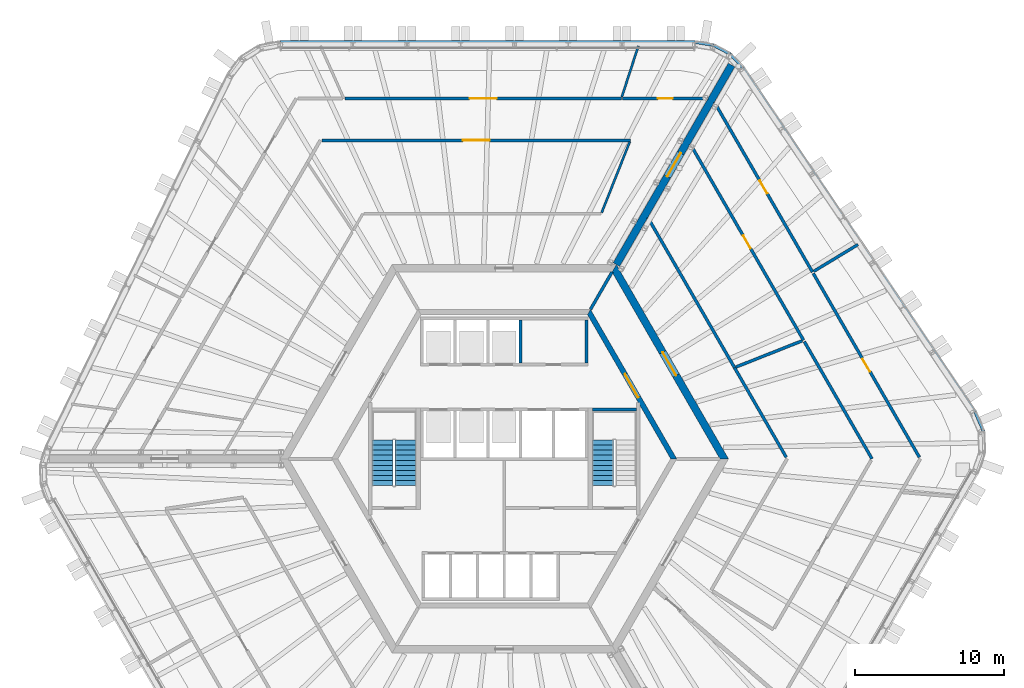
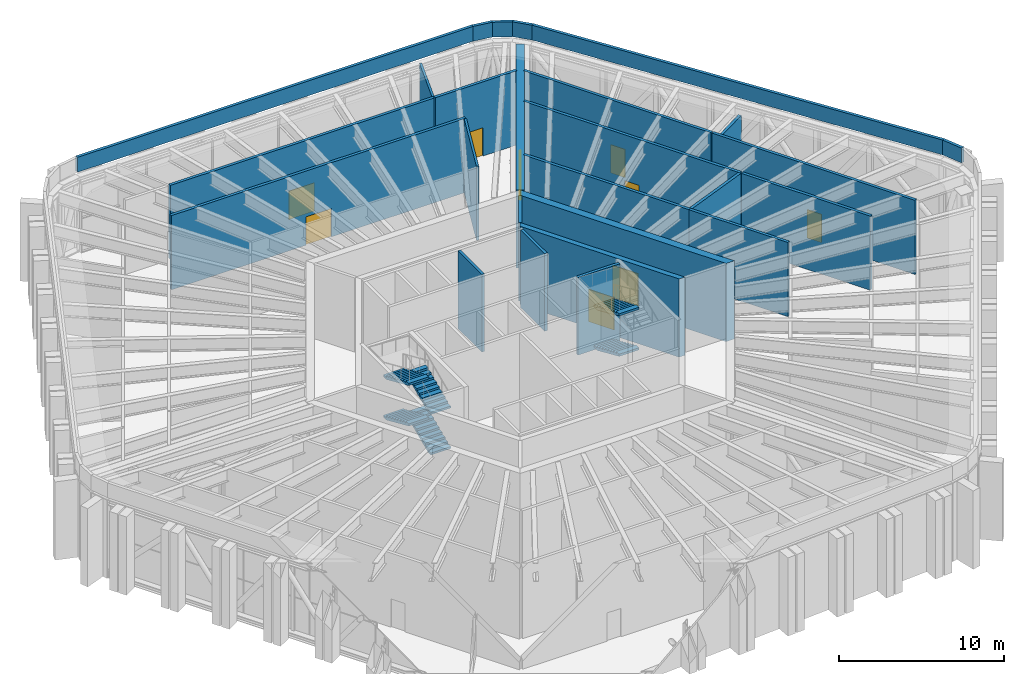
# One storey, part 15 of 24: 26 walls, 9 doors, 6 stair flights, 9 openings, 2 elements without a shape of their own.
"""IFC4 building model written with IfcOpenShell, lengths in metres."""

import ifcopenshell
import ifcopenshell.guid

model = None  # the IFC model being written
_history = None  # IfcOwnerHistory: only IFC2X3 demands one
_inside = {}  # id of a spatial element -> (the spatial element, [elements in it])
_under = {}  # id of a project, library or spatial element -> (it, [spatial elements below it])
_declared = {}  # id of a project -> (the project, [libraries it declares])
_typed = {}  # id of a type object -> (the type object, [elements of that type])
_made_of = {}  # id of a material, layer set ... -> (it, [elements and type objects made of it])


def new_model(schema):
    """Start an empty IFC model of exactly this schema.

    Asked for "IFC4X3", IfcOpenShell would pick the latest addendum, in which some entities
    have other attributes; the version numbers below select the first issue.
    IFC2X3 requires an IfcOwnerHistory on every rooted entity: one is made here for all.
    """
    global model, _history
    if schema == "IFC4X3":
        model = ifcopenshell.file(schema_version=(4, 3, 0, 0))
    else:
        model = ifcopenshell.file(schema=schema)
    _inside.clear()
    _under.clear()
    _declared.clear()
    _typed.clear()
    _made_of.clear()
    _history = None
    if model.schema == "IFC2X3":
        org = make("IfcOrganization", Name="unknown")
        user = make(
            "IfcPersonAndOrganization",
            ThePerson=make("IfcPerson", FamilyName="unknown"),
            TheOrganization=org,
        )
        app = make(
            "IfcApplication",
            ApplicationDeveloper=org,
            Version="unknown",
            ApplicationFullName="unknown",
            ApplicationIdentifier="unknown",
        )
        _history = make(
            "IfcOwnerHistory",
            OwningUser=user,
            OwningApplication=app,
            ChangeAction="ADDED",
            CreationDate=0,
        )
    return model


def make(cls, **values):
    """One entity of the class cls with the attributes given. An attribute that is None is left unset."""
    return model.create_entity(
        cls, **{name: value for name, value in values.items() if value is not None}
    )


def rooted(cls, **values):
    """An entity with a GlobalId (a new one), such as an element, a storey or a relation."""
    return make(cls, GlobalId=ifcopenshell.guid.new(), OwnerHistory=_history, **values)


def si_unit(unit_type, name, prefix=None):
    """IfcSIUnit, for example si_unit("LENGTHUNIT", "METRE", prefix="MILLI")."""
    return make("IfcSIUnit", UnitType=unit_type, Prefix=prefix, Name=name)


def assignment(units):
    """IfcUnitAssignment: the units of a project."""
    return None if units is None else make("IfcUnitAssignment", Units=units)


def point(xyz):
    """IfcCartesianPoint."""
    return None if xyz is None else make("IfcCartesianPoint", Coordinates=xyz)


def direction(xyz):
    """IfcDirection."""
    return None if xyz is None else make("IfcDirection", DirectionRatios=xyz)


def frame(location, z_axis=None, x_axis=None):
    """IfcAxis2Placement3D, a coordinate frame: its origin and axes. An axis left out is left unset."""
    return make(
        "IfcAxis2Placement3D",
        Location=point(location),
        Axis=direction(z_axis),
        RefDirection=direction(x_axis),
    )


def frame_2d(location, x_axis=None):
    """IfcAxis2Placement2D, a coordinate frame in the plane: its origin and x axis."""
    return make(
        "IfcAxis2Placement2D", Location=point(location), RefDirection=direction(x_axis)
    )


def origin():
    """The frame at (0, 0, 0) with its axes left unset."""
    return frame((0.0, 0.0, 0.0))


def place(relative_to, where):
    """IfcLocalPlacement: puts the frame where relative to a parent placement (None: the world)."""
    return make(
        "IfcLocalPlacement", PlacementRelTo=relative_to, RelativePlacement=where
    )


def context(
    kind, dimensions, precision=None, world=None, true_north=None, identifier=None
):
    """IfcGeometricRepresentationContext, for example the 3D "Model" context."""
    return make(
        "IfcGeometricRepresentationContext",
        ContextIdentifier=identifier,
        ContextType=kind,
        CoordinateSpaceDimension=dimensions,
        Precision=precision,
        WorldCoordinateSystem=world,
        TrueNorth=true_north,
    )


def subcontext(parent, identifier, kind, view, scale=None):
    """IfcGeometricRepresentationSubContext, for example "Body" below "Model"."""
    return make(
        "IfcGeometricRepresentationSubContext",
        ContextIdentifier=identifier,
        ContextType=kind,
        ParentContext=parent,
        TargetScale=scale,
        TargetView=view,
    )


def project(units=None, contexts=None):
    """IfcProject with its units and contexts."""
    return rooted(
        "IfcProject",
        Name="project",
        RepresentationContexts=contexts,
        UnitsInContext=assignment(units),
    )


def spatial(cls, under=None, at=None, **own):
    """A site, building, storey or space (cls), placed at a placement, below another one or the project."""
    s = rooted(cls, ObjectPlacement=at, **own)
    if under is not None:
        _under.setdefault(under.id(), (under, []))[1].append(s)
    return s


def polyline(points):
    """IfcPolyline through the points."""
    return make("IfcPolyline", Points=[point(p) for p in points])


def profile(cls, at=None, kind="AREA", **sizes):
    """A parametric profile (cls). Its sizes go by their IFC names, for example OverallWidth=200.0."""
    return make(cls, ProfileType=kind, Position=at, **sizes)


def rectangle(**sizes):
    """IfcRectangleProfileDef."""
    return profile("IfcRectangleProfileDef", **sizes)


def outline(outer, holes=None, kind="AREA"):
    """IfcArbitraryClosedProfileDef: a profile drawn as a closed curve; with holes, ...WithVoids."""
    if holes is None:
        return make("IfcArbitraryClosedProfileDef", ProfileType=kind, OuterCurve=outer)
    return make(
        "IfcArbitraryProfileDefWithVoids",
        ProfileType=kind,
        OuterCurve=outer,
        InnerCurves=holes,
    )


def extrude(swept, where, along, depth):
    """IfcExtrudedAreaSolid: the profile swept, set in the frame where, extruded along a direction by depth."""
    return make(
        "IfcExtrudedAreaSolid",
        SweptArea=swept,
        Position=where,
        ExtrudedDirection=direction(along),
        Depth=depth,
    )


def shape(context_of_items, identifier, shape_type, items):
    """IfcShapeRepresentation: the items that make up one representation, for example the "Body"."""
    return make(
        "IfcShapeRepresentation",
        ContextOfItems=context_of_items,
        RepresentationIdentifier=identifier,
        RepresentationType=shape_type,
        Items=items,
    )


def material(Name=None, Category=None):
    """IfcMaterial."""
    return make("IfcMaterial", Name=Name, Category=Category)


def layer(
    of_material, thickness, ventilated=None, Name=None, Category=None, Priority=None
):
    """IfcMaterialLayer: one layer of a wall or slab, of a material (None: an air gap)."""
    return make(
        "IfcMaterialLayer",
        Material=of_material,
        LayerThickness=thickness,
        IsVentilated=ventilated,
        Name=Name,
        Category=Category,
        Priority=Priority,
    )


def layer_set(layers, Name=None):
    """IfcMaterialLayerSet."""
    return make("IfcMaterialLayerSet", MaterialLayers=layers, LayerSetName=Name)


def made_of(thing, what):
    """Note that an element or type object is made of a material, layer set ...; save() writes the relation."""
    if what is not None:
        _made_of.setdefault(what.id(), (what, []))[1].append(thing)
    return thing


def type_object(cls, material=None, **own):
    """A type object (cls), such as IfcWallType, which elements share."""
    return made_of(rooted(cls, **own), material)


def element(
    cls,
    number,
    at=None,
    inside=None,
    cuts=None,
    type_object=None,
    material=None,
    context=None,
    identifier="Body",
    shape_type=None,
    held_by="IfcProductDefinitionShape",
    body=None,
    shapes=None,
    **own,
):
    """One element of the class cls, such as IfcWall. Its Tag is "e" and its number.

    at: its placement. inside: the storey or other place that contains it. cuts: it is an
    opening in that element (IfcRelVoidsElement). A single representation is given by context,
    identifier, shape_type and body (its items); several are given by shapes. held_by: the class
    of the entity that holds the representations. save() writes the other relations.
    """
    e = rooted(cls, Tag="e%d" % number, ObjectPlacement=at, **own)
    if body is not None:
        shapes = [shape(context, identifier, shape_type, body)]
    if shapes is not None:
        e.Representation = make(held_by, Representations=shapes)
    if inside is not None:
        _inside.setdefault(inside.id(), (inside, []))[1].append(e)
    if cuts is not None:
        rooted(
            "IfcRelVoidsElement", RelatingBuildingElement=cuts, RelatedOpeningElement=e
        )
    if type_object is not None:
        _typed.setdefault(type_object.id(), (type_object, []))[1].append(e)
    return made_of(e, material)


def fill(opening, filler):
    """IfcRelFillsElement: the door or window that sits in an opening."""
    return rooted(
        "IfcRelFillsElement",
        RelatingOpeningElement=opening,
        RelatedBuildingElement=filler,
    )


def aggregate(whole, parts):
    """IfcRelAggregates: a whole, such as a stair, and the parts it consists of."""
    return rooted("IfcRelAggregates", RelatingObject=whole, RelatedObjects=parts)


def save(model, path):
    """Write the relations noted so far, then the file.

    IfcRelAggregates (storeys below a building ...), IfcRelContainedInSpatialStructure (elements
    in a storey), IfcRelDefinesByType, IfcRelAssociatesMaterial and IfcRelDeclares: one each for
    every whole, place, type object, material and project.
    """
    for whole, parts in _under.values():
        aggregate(whole, parts)
    for where, things in _inside.values():
        rooted(
            "IfcRelContainedInSpatialStructure",
            RelatedElements=things,
            RelatingStructure=where,
        )
    for kind, things in _typed.values():
        rooted("IfcRelDefinesByType", RelatedObjects=things, RelatingType=kind)
    for what, things in _made_of.values():
        rooted("IfcRelAssociatesMaterial", RelatedObjects=things, RelatingMaterial=what)
    for by, libraries in _declared.values():
        rooted("IfcRelDeclares", RelatingContext=by, RelatedDefinitions=libraries)
    model.write(path)


model = new_model("IFC4")

# Units and contexts
model_context = context("Model", 3, precision=1e-05, world=origin(), true_north=direction((0.0, 1.0)))
body_context = subcontext(model_context, "Body", "Model", "MODEL_VIEW")
ifc_project = project(units=[si_unit("LENGTHUNIT", "METRE"), si_unit("AREAUNIT", "SQUARE_METRE"), si_unit("VOLUMEUNIT", "CUBIC_METRE"), si_unit("PLANEANGLEUNIT", "RADIAN"), si_unit("MASSUNIT", "GRAM", prefix="KILO")], contexts=[model_context])

# Site, building, storey
site_placement = place(None, origin())
site = spatial("IfcSite", under=ifc_project, at=site_placement, CompositionType="ELEMENT")
building_placement = place(site_placement, origin())
building = spatial("IfcBuilding", under=site, at=building_placement, Name="Tarnside Tower", CompositionType="ELEMENT")
storey_placement = place(building_placement, frame((0.0, 0.0, 250.199951171875)))
storey = spatial("IfcBuildingStorey", under=building, at=storey_placement, Name="L60", CompositionType="ELEMENT", Elevation=250.199951171875)

# Wall, opening, door
ifc_material_1 = material(Name="Concrete C50/60", Category="concrete")
ifc_layer_1 = layer(ifc_material_1, 0.35009765625)
ifc_layer_set_1 = layer_set([ifc_layer_1], Name="Core block wall 350 C50/60")
wall_type_1 = type_object("IfcWallType", Name="Core block wall 350 C50/60", PredefinedType="SHEAR", material=ifc_layer_set_1)
wall_1_placement = place(storey_placement, frame((11.344970703125, 0.0, -0.300048828125), z_axis=(0.0, 0.0, 1.0), x_axis=(-0.499995046907, 0.866028263435, 0.0)))
wall_1 = element("IfcWall", 1, at=wall_1_placement, inside=storey, type_object=wall_type_1, Name="L60 core block wall face 6", PredefinedType="SHEAR", context=body_context, shape_type="SweptSolid", body=[
    extrude(outline(polyline([(-0.10107421875, -0.175048828125), (11.44580078125, -0.175048828125), (11.24365234375, 0.175048828125), (0.10107421875, 0.175048828125), (-0.10107421875, -0.175048828125)])), origin(), (0.0, 0.0, 1.0), 5.800048828125),
])
opening_1_placement = place(wall_1_placement, frame((4.74365234375, 0.0, 0.300048828125)))
opening_1 = element("IfcOpeningElement", 2, at=opening_1_placement, cuts=wall_1, Name="Opening CD-LOB", PredefinedType="OPENING", context=body_context, shape_type="SweptSolid", body=[
    extrude(rectangle(XDim=1.800048828125, YDim=2.39990234375, at=frame_2d((0.89990234375, 1.199951171875))), frame((0.0, 0.18505859375, 0.0), z_axis=(0.0, -1.0, 0.0), x_axis=(1.0, 0.0, 0.0)), (0.0, 0.0, 1.0), 0.3701171875),
])
ifc_material_2 = material(Name="Steel fire door", Category="steel")
door_type_1 = type_object("IfcDoorType", Name="Lobby double door FD30S 1800x2400", OperationType="NOTDEFINED", PredefinedType="DOOR", material=ifc_material_2)
door_1_placement = place(opening_1_placement, origin())
door_1 = element("IfcDoor", 3, at=door_1_placement, inside=storey, type_object=door_type_1, Name="L60 lobby block door P2", OperationType="DOUBLE_DOOR_SINGLE_SWING", OverallHeight=2.39990234375, OverallWidth=1.800048828125, PredefinedType="DOOR", context=body_context, shape_type="SweptSolid", body=[
    extrude(rectangle(XDim=1.800048828125, YDim=2.39990234375, at=frame_2d((0.89990234375, 1.199951171875))), frame((0.0, 0.02490234375, 0.0), z_axis=(0.0, -1.0, 0.0), x_axis=(1.0, 0.0, 0.0)), (0.0, 0.0, 1.0), 0.050048828125),
])
fill(opening_1, door_1)

ifc_material_3 = material(Name="Concrete C70/85", Category="concrete")
ifc_layer_2 = layer(ifc_material_3, 0.5)
ifc_layer_set_2 = layer_set([ifc_layer_2], Name="Core wall Z2 500 C70/85")
wall_type_2 = type_object("IfcWallType", Name="Core wall Z2 500 C70/85", PredefinedType="SHEAR", material=ifc_layer_set_2)
wall_2_placement = place(storey_placement, frame((14.722412109375, 0.0, -0.300048828125), z_axis=(0.0, 0.0, 1.0), x_axis=(-0.50000571537, 0.866022103989, 0.0)))
wall_2 = element("IfcWall", 4, at=wall_2_placement, inside=storey, type_object=wall_type_2, Name="L60 core wall face 6", PredefinedType="SHEAR", context=body_context, shape_type="SweptSolid", body=[
    extrude(outline(polyline([(-0.144287109375, -0.25), (14.86669921875, -0.25), (14.578125, 0.25), (0.144287109375, 0.25), (-0.144287109375, -0.25)])), origin(), (0.0, 0.0, 1.0), 5.800048828125),
])
opening_2_placement = place(wall_2_placement, frame((6.432373046875, 0.0, 0.300048828125)))
opening_2 = element("IfcOpeningElement", 5, at=opening_2_placement, cuts=wall_2, Name="Opening CD-LOB", PredefinedType="OPENING", context=body_context, shape_type="SweptSolid", body=[
    extrude(rectangle(XDim=1.800048828125, YDim=2.39990234375, at=frame_2d((0.89990234375, 1.199951171875))), frame((0.0, 0.260009765625, 0.0), z_axis=(0.0, -1.0, 0.0), x_axis=(1.0, 0.0, 0.0)), (0.0, 0.0, 1.0), 0.52001953125),
])
door_2_placement = place(opening_2_placement, origin())
door_2 = element("IfcDoor", 6, at=door_2_placement, inside=storey, type_object=door_type_1, Name="L60 core door P2", OperationType="DOUBLE_DOOR_SINGLE_SWING", OverallHeight=2.39990234375, OverallWidth=1.800048828125, PredefinedType="DOOR", context=body_context, shape_type="SweptSolid", body=[
    extrude(rectangle(XDim=1.800048828125, YDim=2.39990234375, at=frame_2d((0.89990234375, 1.199951171875))), frame((0.0, 0.02490234375, 0.0), z_axis=(0.0, -1.0, 0.0), x_axis=(1.0, 0.0, 0.0)), (0.0, 0.0, 1.0), 0.050048828125),
])
fill(opening_2, door_2)

wall_3_placement = place(storey_placement, frame((7.505615234375, 13.0, -0.300048828125), z_axis=(0.0, 0.0, 1.0), x_axis=(0.499988271576, 0.866032175087, 0.0)))
wall_3 = element("IfcWall", 7, at=wall_3_placement, inside=storey, type_object=wall_type_2, Name="L60 spine wall 1", PredefinedType="SHEAR", context=body_context, shape_type="SweptSolid", body=[
    extrude(rectangle(XDim=15.423583984375, YDim=0.5, at=frame_2d((7.7119140625, 0.0))), origin(), (0.0, 0.0, 1.0), 5.800048828125),
])
opening_3_placement = place(wall_3_placement, frame((6.811767578125, 0.0, 0.300048828125)))
opening_3 = element("IfcOpeningElement", 8, at=opening_3_placement, cuts=wall_3, Name="Opening CD-SPN", PredefinedType="OPENING", context=body_context, shape_type="SweptSolid", body=[
    extrude(rectangle(XDim=1.800048828125, YDim=2.39990234375, at=frame_2d((0.89990234375, 1.199951171875))), frame((0.0, 0.260009765625, 0.0), z_axis=(0.0, -1.0, 0.0), x_axis=(1.0, 0.0, 0.0)), (0.0, 0.0, 1.0), 0.52001953125),
])
door_type_2 = type_object("IfcDoorType", Name="Spine passage double door FD60 1800x2400", OperationType="NOTDEFINED", PredefinedType="DOOR", material=ifc_material_2)
door_3_placement = place(opening_3_placement, origin())
door_3 = element("IfcDoor", 9, at=door_3_placement, inside=storey, type_object=door_type_2, Name="L60 spine passage door 1", OperationType="DOUBLE_DOOR_SINGLE_SWING", OverallHeight=2.39990234375, OverallWidth=1.800048828125, PredefinedType="DOOR", context=body_context, shape_type="SweptSolid", body=[
    extrude(rectangle(XDim=1.800048828125, YDim=2.39990234375, at=frame_2d((0.89990234375, 1.199951171875))), frame((0.0, 0.02490234375, 0.0), z_axis=(0.0, -1.0, 0.0), x_axis=(1.0, 0.0, 0.0)), (0.0, 0.0, 1.0), 0.050048828125),
])
fill(opening_3, door_3)

# Walls
ifc_material_4 = material(Name="Concrete C40/50", Category="concrete")
ifc_layer_3 = layer(ifc_material_4, 0.199951171875)
ifc_layer_set_3 = layer_set([ifc_layer_3], Name="Lift shaft wall 200 C40/50")
wall_type_3 = type_object("IfcWallType", Name="Lift shaft wall 200 C40/50", PredefinedType="SHEAR", material=ifc_layer_set_3)
for number, where, z_axis, x_axis, name in (
    (10, (1.10009765625, 6.39990234375, -0.25), (0.0, 0.0, 1.0), (0.0, 1.0, 0.0), "L60 lift shaft partition R14"),
    (11, (5.5, 6.39990234375, -0.25), (0.0, 0.0, 1.0), (0.0, 1.0, 0.0), "L60 lift shaft partition R16"),
):
    element("IfcWall", number, at=place(storey_placement, frame(where, z_axis=z_axis, x_axis=x_axis)), inside=storey, type_object=wall_type_3, Name=name, PredefinedType="SHEAR", context=body_context, shape_type="SweptSolid", body=[
        extrude(rectangle(XDim=2.900146484375, YDim=0.199951171875, at=frame_2d((1.4501953125, 0.0))), origin(), (0.0, 0.0, 1.0), 5.75),
    ])
wall_4_placement = place(storey_placement, frame((5.7734375, 10.0, -0.300048828125), z_axis=(0.0, 0.0, 1.0), x_axis=(0.499995765644, 0.866027848477, 0.0)))
element("IfcWall", 12, at=wall_4_placement, inside=storey, type_object=wall_type_3, Name="L60 core partition AR60", PredefinedType="SHEAR", context=body_context, shape_type="SweptSolid", body=[
    extrude(rectangle(XDim=2.88671875, YDim=0.199951171875, at=frame_2d((1.443359375, 0.0))), origin(), (0.0, 0.0, 1.0), 5.800048828125),
])
wall_5_placement = place(storey_placement, frame((5.89990234375, 3.300048828125, -0.25), z_axis=(0.0, 0.0, 1.0), x_axis=(1.0, 0.0, 0.0)))
element("IfcWall", 13, at=wall_5_placement, inside=storey, type_object=wall_type_3, Name="L60 stair 1 enclosure cap wall n", PredefinedType="SHEAR", context=body_context, shape_type="SweptSolid", body=[
    extrude(rectangle(XDim=2.9501953125, YDim=0.199951171875, at=frame_2d((1.47509765625, 0.0))), origin(), (0.0, 0.0, 1.0), 5.75),
])
ifc_material_5 = material(Name="Concrete C35/45 precast", Category="concrete")
ifc_layer_4 = layer(ifc_material_5, 0.199951171875)
ifc_layer_set_4 = layer_set([ifc_layer_4], Name="Parapet 200 x 1100")
wall_type_4 = type_object("IfcWallType", Name="Parapet 200 x 1100", PredefinedType="PARAPET", material=ifc_layer_set_4)
wall_6_placement = place(storey_placement, frame((12.7529296875, 27.89990234375, 5.699951171875), z_axis=(0.0, 0.0, 1.0), x_axis=(0.9867748983, -0.162096576412, 0.0)))
element("IfcWall", 14, at=wall_6_placement, inside=storey, type_object=wall_type_4, Name="Roof parapet 01", PredefinedType="PARAPET", context=body_context, shape_type="SweptSolid", body=[
    extrude(outline(polyline([(0.008056640625, -0.10009765625), (1.25634765625, -0.10009765625), (1.2890625, 0.10009765625), (-0.008056640625, 0.10009765625), (0.008056640625, -0.10009765625)])), origin(), (0.0, 0.0, 1.0), 1.10009765625),
])
wall_7_placement = place(storey_placement, frame((14.0087890625, 27.693603515625, 5.699951171875), z_axis=(0.0, 0.0, 1.0), x_axis=(0.882950708751, -0.469465702598, 0.0)))
element("IfcWall", 15, at=wall_7_placement, inside=storey, type_object=wall_type_4, Name="Roof parapet 02", PredefinedType="PARAPET", context=body_context, shape_type="SweptSolid", body=[
    extrude(outline(polyline([(0.016357421875, -0.10009765625), (1.248291015625, -0.10009765625), (1.281005859375, 0.10009765625), (-0.016357421875, 0.10009765625), (0.016357421875, -0.10009765625)])), origin(), (0.0, 0.0, 1.0), 1.10009765625),
])
wall_8_placement = place(storey_placement, frame((15.12548828125, 27.099853515625, 5.699951171875), z_axis=(0.0, 0.0, 1.0), x_axis=(0.686184039693, -0.727427978339, 0.0)))
element("IfcWall", 16, at=wall_8_placement, inside=storey, type_object=wall_type_4, Name="Roof parapet 03", PredefinedType="PARAPET", context=body_context, shape_type="SweptSolid", body=[
    extrude(outline(polyline([(0.016357421875, -0.10009765625), (1.2646484375, -0.10009765625), (1.28076171875, 0.10009765625), (-0.016357421875, 0.10009765625), (0.016357421875, -0.10009765625)])), origin(), (0.0, 0.0, 1.0), 1.10009765625),
])
wall_9_placement = place(storey_placement, frame((15.998779296875, 26.174072265625, 5.699951171875), z_axis=(0.0, 0.0, 1.0), x_axis=(0.559192735444, -0.82903768589, 0.0)))
element("IfcWall", 17, at=wall_9_placement, inside=storey, type_object=wall_type_4, Name="Roof parapet 04", PredefinedType="PARAPET", context=body_context, shape_type="SweptSolid", body=[
    extrude(outline(polyline([(0.008056640625, -0.10009765625), (27.731201171875, -0.10009765625), (27.749755859375, 0.10009765625), (-0.008056640625, 0.10009765625), (0.008056640625, -0.10009765625)])), origin(), (0.0, 0.0, 1.0), 1.10009765625),
])
wall_10_placement = place(storey_placement, frame((31.510986328125, 3.17626953125, 5.699951171875), z_axis=(0.0, 0.0, 1.0), x_axis=(0.396149459685, -0.918186040839, 0.0)))
element("IfcWall", 18, at=wall_10_placement, inside=storey, type_object=wall_type_4, Name="Roof parapet 05", PredefinedType="PARAPET", context=body_context, shape_type="SweptSolid", body=[
    extrude(outline(polyline([(0.00927734375, -0.10009765625), (1.433837890625, -0.10009765625), (1.471435546875, 0.10009765625), (-0.00927734375, 0.10009765625), (0.00927734375, -0.10009765625)])), origin(), (0.0, 0.0, 1.0), 1.10009765625),
])
wall_11_placement = place(storey_placement, frame((-14.987548828125, 27.89990234375, 5.699951171875), z_axis=(0.0, 0.0, 1.0), x_axis=(1.0, 0.0, 0.0)))
element("IfcWall", 19, at=wall_11_placement, inside=storey, type_object=wall_type_4, Name="Roof parapet 24", PredefinedType="PARAPET", context=body_context, shape_type="SweptSolid", body=[
    extrude(outline(polyline([(0.00927734375, -0.10009765625), (27.732421875, -0.10009765625), (27.74853515625, 0.10009765625), (-0.00927734375, 0.10009765625), (0.00927734375, -0.10009765625)])), origin(), (0.0, 0.0, 1.0), 1.10009765625),
])
ifc_material_6 = material(Name="Gypsum board")
ifc_layer_5 = layer(ifc_material_6, 0.14990234375)
ifc_layer_set_5 = layer_set([ifc_layer_5], Name="Partition 150 gypsum board on metal stud")
wall_type_5 = type_object("IfcWallType", Name="Partition 150 gypsum board on metal stud", PredefinedType="PARTITIONING", material=ifc_layer_set_5)
wall_12_placement = place(storey_placement, frame((8.4013671875, 21.219970703125, 0.0), z_axis=(0.0, 0.0, 1.0), x_axis=(-0.368130307477, -0.929774207384, 0.0)))
element("IfcWall", 20, at=wall_12_placement, inside=storey, type_object=wall_type_5, Name="Partition 035", PredefinedType="PARTITIONING", context=body_context, shape_type="SweptSolid", body=[
    extrude(rectangle(XDim=5.103271484375, YDim=0.14990234375, at=frame_2d((2.5517578125, 0.0))), origin(), (0.0, 0.0, 1.0), 5.5),
])
wall_13_placement = place(storey_placement, frame((8.980712890625, 27.64013671875, 0.0), z_axis=(0.0, 0.0, 1.0), x_axis=(-0.309029274021, -0.951052526309, 0.0)))
element("IfcWall", 21, at=wall_13_placement, inside=storey, type_object=wall_type_5, Name="Partition 036", PredefinedType="PARTITIONING", context=body_context, shape_type="SweptSolid", body=[
    extrude(rectangle(XDim=3.59619140625, YDim=0.14990234375, at=frame_2d((1.798095703125, 0.0))), origin(), (0.0, 0.0, 1.0), 5.5),
])

# Wall, opening, door
ifc_material_7 = material(Name="Concrete C32/40", Category="concrete")
ifc_layer_6 = layer(ifc_material_7, 0.199951171875)
ifc_layer_set_6 = layer_set([ifc_layer_6], Name="Wall 200 reinforced Concrete C32/40")
wall_type_6 = type_object("IfcWallType", Name="Wall 200 reinforced Concrete C32/40", PredefinedType="PARTITIONING", material=ifc_layer_set_6)
wall_14_placement = place(storey_placement, frame((8.44091796875, 21.320068359375, 0.0), z_axis=(0.0, 0.0, 1.0), x_axis=(-1.0, 0.0, 0.0)))
wall_14 = element("IfcWall", 22, at=wall_14_placement, inside=storey, type_object=wall_type_6, Name="Partition 022", PredefinedType="PARTITIONING", context=body_context, shape_type="SweptSolid", body=[
    extrude(rectangle(XDim=20.634521484375, YDim=0.199951171875, at=frame_2d((10.3173828125, 0.0))), origin(), (0.0, 0.0, 1.0), 5.5),
])
opening_4_placement = place(wall_14_placement, frame((9.417236328125, 0.0, 0.0)))
opening_4 = element("IfcOpeningElement", 23, at=opening_4_placement, cuts=wall_14, Name="Opening D1800F30", PredefinedType="OPENING", context=body_context, shape_type="SweptSolid", body=[
    extrude(rectangle(XDim=1.800048828125, YDim=2.10009765625, at=frame_2d((0.89990234375, 1.050048828125))), frame((0.0, 0.10986328125, 0.0), z_axis=(0.0, -1.0, 0.0), x_axis=(1.0, 0.0, 0.0)), (0.0, 0.0, 1.0), 0.219970703125),
])
ifc_material_8 = material(Name="Timber door leaf", Category="wood")
door_type_3 = type_object("IfcDoorType", Name="Door pair 1800 x 2100 FD30S fire door", OperationType="NOTDEFINED", PredefinedType="DOOR", material=ifc_material_8)
door_4_placement = place(opening_4_placement, origin())
door_4 = element("IfcDoor", 24, at=door_4_placement, inside=storey, type_object=door_type_3, Name="Door L60-11", OperationType="DOUBLE_DOOR_SINGLE_SWING", OverallHeight=2.10009765625, OverallWidth=1.800048828125, PredefinedType="DOOR", context=body_context, shape_type="SweptSolid", body=[
    extrude(rectangle(XDim=1.800048828125, YDim=2.10009765625, at=frame_2d((0.89990234375, 1.050048828125))), frame((0.0, 0.02490234375, 0.0), z_axis=(0.0, -1.0, 0.0), x_axis=(1.0, 0.0, 0.0)), (0.0, 0.0, 1.0), 0.050048828125),
])
fill(opening_4, door_4)

wall_15_placement = place(storey_placement, frame((-10.656982421875, 24.1201171875, 0.0), z_axis=(0.0, 0.0, 1.0), x_axis=(1.0, 0.0, 0.0)))
wall_15 = element("IfcWall", 25, at=wall_15_placement, inside=storey, type_object=wall_type_6, Name="Partition 034", PredefinedType="PARTITIONING", context=body_context, shape_type="SweptSolid", body=[
    extrude(rectangle(XDim=18.493896484375, YDim=0.199951171875, at=frame_2d((9.2470703125, 0.0))), origin(), (0.0, 0.0, 1.0), 5.5),
])
opening_5_placement = place(wall_15_placement, frame((8.346923828125, 0.0, 0.0)))
opening_5 = element("IfcOpeningElement", 26, at=opening_5_placement, cuts=wall_15, Name="Opening D1800F30", PredefinedType="OPENING", context=body_context, shape_type="SweptSolid", body=[
    extrude(rectangle(XDim=1.800048828125, YDim=2.10009765625, at=frame_2d((0.89990234375, 1.050048828125))), frame((0.0, 0.10986328125, 0.0), z_axis=(0.0, -1.0, 0.0), x_axis=(1.0, 0.0, 0.0)), (0.0, 0.0, 1.0), 0.219970703125),
])
door_5_placement = place(opening_5_placement, origin())
door_5 = element("IfcDoor", 27, at=door_5_placement, inside=storey, type_object=door_type_3, Name="Door L60-13", OperationType="DOUBLE_DOOR_SINGLE_SWING", OverallHeight=2.10009765625, OverallWidth=1.800048828125, PredefinedType="DOOR", context=body_context, shape_type="SweptSolid", body=[
    extrude(rectangle(XDim=1.800048828125, YDim=2.10009765625, at=frame_2d((0.89990234375, 1.050048828125))), frame((0.0, 0.02490234375, 0.0), z_axis=(0.0, -1.0, 0.0), x_axis=(1.0, 0.0, 0.0)), (0.0, 0.0, 1.0), 0.050048828125),
])
fill(opening_5, door_5)

wall_16_placement = place(storey_placement, frame((20.0380859375, 7.93408203125, 0.0), z_axis=(0.0, 0.0, 1.0), x_axis=(-0.500056356876, 0.865992863682, 0.0)))
wall_16 = element("IfcWall", 28, at=wall_16_placement, inside=storey, type_object=wall_type_6, Name="Partition 039", PredefinedType="PARTITIONING", context=body_context, shape_type="SweptSolid", body=[
    extrude(rectangle(XDim=15.168701171875, YDim=0.199951171875, at=frame_2d((7.58447265625, 0.0))), origin(), (0.0, 0.0, 1.0), 5.5),
])
opening_6_placement = place(wall_16_placement, frame((7.084228515625, 0.0, 0.0)))
opening_6 = element("IfcOpeningElement", 29, at=opening_6_placement, cuts=wall_16, Name="Opening D1000F60", PredefinedType="OPENING", context=body_context, shape_type="SweptSolid", body=[
    extrude(rectangle(XDim=1.0, YDim=2.10009765625, at=frame_2d((0.5, 1.050048828125))), frame((0.0, 0.10986328125, 0.0), z_axis=(0.0, -1.0, 0.0), x_axis=(1.0, 0.0, 0.0)), (0.0, 0.0, 1.0), 0.219970703125),
])
door_type_4 = type_object("IfcDoorType", Name="Door 1000 x 2100 single leaf FD60 fire door", OperationType="NOTDEFINED", PredefinedType="DOOR", material=ifc_material_8)
door_6_placement = place(opening_6_placement, origin())
door_6 = element("IfcDoor", 30, at=door_6_placement, inside=storey, type_object=door_type_4, Name="Door L60-16", OperationType="SINGLE_SWING_LEFT", OverallHeight=2.10009765625, OverallWidth=1.0, PredefinedType="DOOR", context=body_context, shape_type="SweptSolid", body=[
    extrude(rectangle(XDim=1.0, YDim=2.10009765625, at=frame_2d((0.5, 1.050048828125))), frame((0.0, 0.02490234375, 0.0), z_axis=(0.0, -1.0, 0.0), x_axis=(1.0, 0.0, 0.0)), (0.0, 0.0, 1.0), 0.050048828125),
])
fill(opening_6, door_6)

wall_17_placement = place(storey_placement, frame((7.915771484375, 24.1201171875, 0.0), z_axis=(0.0, 0.0, 1.0), x_axis=(1.0, 0.0, 0.0)))
wall_17 = element("IfcWall", 31, at=wall_17_placement, inside=storey, type_object=wall_type_6, Name="Partition 041", PredefinedType="PARTITIONING", context=body_context, shape_type="SweptSolid", body=[
    extrude(rectangle(XDim=5.72119140625, YDim=0.199951171875, at=frame_2d((2.860595703125, 0.0))), origin(), (0.0, 0.0, 1.0), 5.5),
])
opening_7_placement = place(wall_17_placement, frame((2.360595703125, 0.0, 0.0)))
opening_7 = element("IfcOpeningElement", 32, at=opening_7_placement, cuts=wall_17, Name="Opening D1000F30", PredefinedType="OPENING", context=body_context, shape_type="SweptSolid", body=[
    extrude(rectangle(XDim=1.0, YDim=2.10009765625, at=frame_2d((0.5, 1.050048828125))), frame((0.0, 0.10986328125, 0.0), z_axis=(0.0, -1.0, 0.0), x_axis=(1.0, 0.0, 0.0)), (0.0, 0.0, 1.0), 0.219970703125),
])
door_type_5 = type_object("IfcDoorType", Name="Door 1000 x 2100 single leaf FD30S fire door", OperationType="NOTDEFINED", PredefinedType="DOOR", material=ifc_material_8)
door_7_placement = place(opening_7_placement, origin())
door_7 = element("IfcDoor", 33, at=door_7_placement, inside=storey, type_object=door_type_5, Name="Door L60-17", OperationType="SINGLE_SWING_RIGHT", OverallHeight=2.10009765625, OverallWidth=1.0, PredefinedType="DOOR", context=body_context, shape_type="SweptSolid", body=[
    extrude(rectangle(XDim=1.0, YDim=2.10009765625, at=frame_2d((0.5, 1.050048828125))), frame((0.0, 0.02490234375, 0.0), z_axis=(0.0, -1.0, 0.0), x_axis=(1.0, 0.0, 0.0)), (0.0, 0.0, 1.0), 0.050048828125),
])
fill(opening_7, door_7)

# Walls
wall_18_placement = place(storey_placement, frame((15.4140625, 6.10302734375, 0.0), z_axis=(0.0, 0.0, 1.0), x_axis=(-0.50002969912, 0.86600825631, 0.0)))
element("IfcWall", 34, at=wall_18_placement, inside=storey, type_object=wall_type_6, Name="Partition 043", PredefinedType="PARTITIONING", context=body_context, shape_type="SweptSolid", body=[
    extrude(rectangle(XDim=11.601318359375, YDim=0.199951171875, at=frame_2d((5.80078125, 0.0))), origin(), (0.0, 0.0, 1.0), 5.5),
])
wall_19_placement = place(storey_placement, frame((18.879150390625, 0.10009765625, 0.0), z_axis=(0.0, 0.0, 1.0), x_axis=(-0.499923693419, 0.866069454927, 0.0)))
element("IfcWall", 35, at=wall_19_placement, inside=storey, type_object=wall_type_6, Name="Partition 048", PredefinedType="PARTITIONING", context=body_context, shape_type="SweptSolid", body=[
    extrude(rectangle(XDim=6.93115234375, YDim=0.199951171875, at=frame_2d((3.465576171875, 0.0))), origin(), (0.0, 0.0, 1.0), 5.5),
])
wall_20_placement = place(storey_placement, frame((19.944091796875, 7.896728515625, 0.0), z_axis=(0.0, 0.0, 1.0), x_axis=(-0.929759179484, -0.368168260671, 0.0)))
element("IfcWall", 36, at=wall_20_placement, inside=storey, type_object=wall_type_6, Name="Partition 049", PredefinedType="PARTITIONING", context=body_context, shape_type="SweptSolid", body=[
    extrude(rectangle(XDim=4.771240234375, YDim=0.199951171875, at=frame_2d((2.3857421875, 0.0))), origin(), (0.0, 0.0, 1.0), 5.5),
])
wall_21_placement = place(storey_placement, frame((20.088623046875, 7.846435546875, 0.0), z_axis=(0.0, 0.0, 1.0), x_axis=(0.499930063508, -0.866065777872, 0.0)))
element("IfcWall", 37, at=wall_21_placement, inside=storey, type_object=wall_type_6, Name="Partition 050", PredefinedType="PARTITIONING", context=body_context, shape_type="SweptSolid", body=[
    extrude(rectangle(XDim=9.059814453125, YDim=0.199951171875, at=frame_2d((4.52978515625, 0.0))), origin(), (0.0, 0.0, 1.0), 5.5),
])

# Wall, opening, door
wall_22_placement = place(storey_placement, frame((14.070068359375, 23.8701171875, 0.0), z_axis=(0.0, 0.0, 1.0), x_axis=(0.500014285048, -0.866017156151, 0.0)))
wall_22 = element("IfcWall", 38, at=wall_22_placement, inside=storey, type_object=wall_type_6, Name="Partition 051", PredefinedType="PARTITIONING", context=body_context, shape_type="SweptSolid", body=[
    extrude(rectangle(XDim=13.13134765625, YDim=0.199951171875, at=frame_2d((6.565673828125, 0.0))), origin(), (0.0, 0.0, 1.0), 5.5),
])
opening_8_placement = place(wall_22_placement, frame((6.065673828125, 0.0, 0.0)))
opening_8 = element("IfcOpeningElement", 39, at=opening_8_placement, cuts=wall_22, Name="Opening D1000F60", PredefinedType="OPENING", context=body_context, shape_type="SweptSolid", body=[
    extrude(rectangle(XDim=1.0, YDim=2.10009765625, at=frame_2d((0.5, 1.050048828125))), frame((0.0, 0.10986328125, 0.0), z_axis=(0.0, -1.0, 0.0), x_axis=(1.0, 0.0, 0.0)), (0.0, 0.0, 1.0), 0.219970703125),
])
door_8_placement = place(opening_8_placement, origin())
door_8 = element("IfcDoor", 40, at=door_8_placement, inside=storey, type_object=door_type_4, Name="Door L60-19", OperationType="SINGLE_SWING_RIGHT", OverallHeight=2.10009765625, OverallWidth=1.0, PredefinedType="DOOR", context=body_context, shape_type="SweptSolid", body=[
    extrude(rectangle(XDim=1.0, YDim=2.10009765625, at=frame_2d((0.5, 1.050048828125))), frame((0.0, 0.02490234375, 0.0), z_axis=(0.0, -1.0, 0.0), x_axis=(1.0, 0.0, 0.0)), (0.0, 0.0, 1.0), 0.050048828125),
])
fill(opening_8, door_8)

# Wall
wall_23_placement = place(storey_placement, frame((23.67919921875, 14.340576171875, 0.0), z_axis=(0.0, 0.0, 1.0), x_axis=(-0.855411164344, -0.517949553447, 0.0)))
element("IfcWall", 41, at=wall_23_placement, inside=storey, type_object=wall_type_6, Name="Partition 052", PredefinedType="PARTITIONING", context=body_context, shape_type="SweptSolid", body=[
    extrude(rectangle(XDim=3.45751953125, YDim=0.199951171875, at=frame_2d((1.728759765625, 0.0))), origin(), (0.0, 0.0, 1.0), 4.573486328125),
])

# Wall, opening, door
wall_24_placement = place(storey_placement, frame((20.68603515625, 12.411376953125, 0.0), z_axis=(0.0, 0.0, 1.0), x_axis=(0.499960816026, -0.86604802548, 0.0)))
wall_24 = element("IfcWall", 42, at=wall_24_placement, inside=storey, type_object=wall_type_6, Name="Partition 055", PredefinedType="PARTITIONING", context=body_context, shape_type="SweptSolid", body=[
    extrude(rectangle(XDim=14.215576171875, YDim=0.199951171875, at=frame_2d((7.10791015625, 0.0))), origin(), (0.0, 0.0, 1.0), 5.5),
])
opening_9_placement = place(wall_24_placement, frame((6.607666015625, 0.0, 0.0)))
opening_9 = element("IfcOpeningElement", 43, at=opening_9_placement, cuts=wall_24, Name="Opening D1000F60", PredefinedType="OPENING", context=body_context, shape_type="SweptSolid", body=[
    extrude(rectangle(XDim=1.0, YDim=2.10009765625, at=frame_2d((0.5, 1.050048828125))), frame((0.0, 0.10986328125, 0.0), z_axis=(0.0, -1.0, 0.0), x_axis=(1.0, 0.0, 0.0)), (0.0, 0.0, 1.0), 0.219970703125),
])
door_9_placement = place(opening_9_placement, origin())
door_9 = element("IfcDoor", 44, at=door_9_placement, inside=storey, type_object=door_type_4, Name="Door L60-21", OperationType="SINGLE_SWING_RIGHT", OverallHeight=2.10009765625, OverallWidth=1.0, PredefinedType="DOOR", context=body_context, shape_type="SweptSolid", body=[
    extrude(rectangle(XDim=1.0, YDim=2.10009765625, at=frame_2d((0.5, 1.050048828125))), frame((0.0, 0.02490234375, 0.0), z_axis=(0.0, -1.0, 0.0), x_axis=(1.0, 0.0, 0.0)), (0.0, 0.0, 1.0), 0.050048828125),
])
fill(opening_9, door_9)

# Stair, stair flights
stair_type = type_object("IfcStairType", Name="Exit stair 1400 clear", PredefinedType="HALF_TURN_STAIR", material=ifc_material_4)
stair_1_placement = place(storey_placement, origin())
stair_1 = element("IfcStair", 45, at=stair_1_placement, inside=storey, type_object=stair_type, Name="L60 Exit stair 1", PredefinedType="HALF_TURN_STAIR")
stair_flight_type = type_object("IfcStairFlightType", Name="Exit stair flight 1400", PredefinedType="STRAIGHT", material=ifc_material_4)
stair_flight_1_placement = place(storey_placement, frame((6.60009765625, 1.260009765625, 1.5), z_axis=(0.0, 0.0, 1.0), x_axis=(0.0, -1.0, 0.0)))
stair_flight_1 = element("IfcStairFlight", 46, at=stair_flight_1_placement, type_object=stair_flight_type, Name="ST1 flight 2", NumberOfRisers=10, NumberOfTreads=9, PredefinedType="STRAIGHT", RiserHeight=0.15, TreadLength=0.34, context=body_context, shape_type="SweptSolid", body=[
    extrude(outline(polyline([(0.0, 0.0), (0.0, 0.14990234375), (0.340087890625, 0.14990234375), (0.340087890625, 0.300048828125), (0.679931640625, 0.300048828125), (0.679931640625, 0.449951171875), (1.02001953125, 0.449951171875), (1.02001953125, 0.60009765625), (1.360107421875, 0.60009765625), (1.360107421875, 0.75), (1.699951171875, 0.75), (1.699951171875, 0.89990234375), (2.0400390625, 0.89990234375), (2.0400390625, 1.050048828125), (2.3798828125, 1.050048828125), (2.3798828125, 1.199951171875), (2.719970703125, 1.199951171875), (2.719970703125, 1.35009765625), (3.06005859375, 1.35009765625), (3.06005859375, 1.5), (3.06005859375, 1.186279296875), (0.371337890625, 0.0), (0.0, 0.0)])), frame((0.0, 0.699951171875, 0.0), z_axis=(0.0, -1.0, 0.0), x_axis=(1.0, 0.0, 0.0)), (0.0, 0.0, 1.0), 1.39990234375),
])
stair_flight_2_placement = place(storey_placement, frame((6.60009765625, 1.260009765625, 4.5), z_axis=(0.0, 0.0, 1.0), x_axis=(0.0, -1.0, 0.0)))
stair_flight_2 = element("IfcStairFlight", 47, at=stair_flight_2_placement, type_object=stair_flight_type, Name="ST1 flight 4", NumberOfRisers=10, NumberOfTreads=9, PredefinedType="STRAIGHT", RiserHeight=0.15, TreadLength=0.34, context=body_context, shape_type="SweptSolid", body=[
    extrude(outline(polyline([(0.0, 0.0), (0.0, 0.14990234375), (0.340087890625, 0.14990234375), (0.340087890625, 0.300048828125), (0.679931640625, 0.300048828125), (0.679931640625, 0.449951171875), (1.02001953125, 0.449951171875), (1.02001953125, 0.60009765625), (1.360107421875, 0.60009765625), (1.360107421875, 0.75), (1.699951171875, 0.75), (1.699951171875, 0.89990234375), (2.0400390625, 0.89990234375), (2.0400390625, 1.050048828125), (2.3798828125, 1.050048828125), (2.3798828125, 1.199951171875), (2.719970703125, 1.199951171875), (2.719970703125, 1.35009765625), (3.06005859375, 1.35009765625), (3.06005859375, 1.5), (3.06005859375, 1.186279296875), (0.371337890625, 0.0), (0.0, 0.0)])), frame((0.0, 0.699951171875, 0.0), z_axis=(0.0, -1.0, 0.0), x_axis=(1.0, 0.0, 0.0)), (0.0, 0.0, 1.0), 1.39990234375),
])
aggregate(stair_1, [stair_flight_1, stair_flight_2])

stair_2_placement = place(storey_placement, origin())
stair_2 = element("IfcStair", 48, at=stair_2_placement, inside=storey, type_object=stair_type, Name="L60 Exit stair 2", PredefinedType="HALF_TURN_STAIR")
stair_flight_3_placement = place(storey_placement, frame((-6.60009765625, -1.800048828125, 0.0), z_axis=(0.0, 0.0, 1.0), x_axis=(0.0, 1.0, 0.0)))
stair_flight_3 = element("IfcStairFlight", 49, at=stair_flight_3_placement, type_object=stair_flight_type, Name="ST2 flight 1", NumberOfRisers=10, NumberOfTreads=9, PredefinedType="STRAIGHT", RiserHeight=0.15, TreadLength=0.34, context=body_context, shape_type="SweptSolid", body=[
    extrude(outline(polyline([(0.0, 0.0), (0.0, 0.14990234375), (0.340087890625, 0.14990234375), (0.340087890625, 0.300048828125), (0.679931640625, 0.300048828125), (0.679931640625, 0.449951171875), (1.02001953125, 0.449951171875), (1.02001953125, 0.60009765625), (1.360107421875, 0.60009765625), (1.360107421875, 0.75), (1.699951171875, 0.75), (1.699951171875, 0.89990234375), (2.0400390625, 0.89990234375), (2.0400390625, 1.050048828125), (2.3798828125, 1.050048828125), (2.3798828125, 1.199951171875), (2.719970703125, 1.199951171875), (2.719970703125, 1.35009765625), (3.06005859375, 1.35009765625), (3.06005859375, 1.5), (3.06005859375, 1.186279296875), (0.371337890625, 0.0), (0.0, 0.0)])), frame((0.0, 0.699951171875, 0.0), z_axis=(0.0, -1.0, 0.0), x_axis=(1.0, 0.0, 0.0)), (0.0, 0.0, 1.0), 1.39990234375),
])
stair_flight_4_placement = place(storey_placement, frame((-8.14990234375, 1.260009765625, 1.5), z_axis=(0.0, 0.0, 1.0), x_axis=(0.0, -1.0, 0.0)))
stair_flight_4 = element("IfcStairFlight", 50, at=stair_flight_4_placement, type_object=stair_flight_type, Name="ST2 flight 2", NumberOfRisers=10, NumberOfTreads=9, PredefinedType="STRAIGHT", RiserHeight=0.15, TreadLength=0.34, context=body_context, shape_type="SweptSolid", body=[
    extrude(outline(polyline([(0.0, 0.0), (0.0, 0.14990234375), (0.340087890625, 0.14990234375), (0.340087890625, 0.300048828125), (0.679931640625, 0.300048828125), (0.679931640625, 0.449951171875), (1.02001953125, 0.449951171875), (1.02001953125, 0.60009765625), (1.360107421875, 0.60009765625), (1.360107421875, 0.75), (1.699951171875, 0.75), (1.699951171875, 0.89990234375), (2.0400390625, 0.89990234375), (2.0400390625, 1.050048828125), (2.3798828125, 1.050048828125), (2.3798828125, 1.199951171875), (2.719970703125, 1.199951171875), (2.719970703125, 1.35009765625), (3.06005859375, 1.35009765625), (3.06005859375, 1.5), (3.06005859375, 1.186279296875), (0.371337890625, 0.0), (0.0, 0.0)])), frame((0.0, 0.699951171875, 0.0), z_axis=(0.0, -1.0, 0.0), x_axis=(1.0, 0.0, 0.0)), (0.0, 0.0, 1.0), 1.39990234375),
])
stair_flight_5_placement = place(storey_placement, frame((-6.60009765625, -1.800048828125, 3.0), z_axis=(0.0, 0.0, 1.0), x_axis=(0.0, 1.0, 0.0)))
stair_flight_5 = element("IfcStairFlight", 51, at=stair_flight_5_placement, type_object=stair_flight_type, Name="ST2 flight 3", NumberOfRisers=10, NumberOfTreads=9, PredefinedType="STRAIGHT", RiserHeight=0.15, TreadLength=0.34, context=body_context, shape_type="SweptSolid", body=[
    extrude(outline(polyline([(0.0, 0.0), (0.0, 0.14990234375), (0.340087890625, 0.14990234375), (0.340087890625, 0.300048828125), (0.679931640625, 0.300048828125), (0.679931640625, 0.449951171875), (1.02001953125, 0.449951171875), (1.02001953125, 0.60009765625), (1.360107421875, 0.60009765625), (1.360107421875, 0.75), (1.699951171875, 0.75), (1.699951171875, 0.89990234375), (2.0400390625, 0.89990234375), (2.0400390625, 1.050048828125), (2.3798828125, 1.050048828125), (2.3798828125, 1.199951171875), (2.719970703125, 1.199951171875), (2.719970703125, 1.35009765625), (3.06005859375, 1.35009765625), (3.06005859375, 1.5), (3.06005859375, 1.186279296875), (0.371337890625, 0.0), (0.0, 0.0)])), frame((0.0, 0.699951171875, 0.0), z_axis=(0.0, -1.0, 0.0), x_axis=(1.0, 0.0, 0.0)), (0.0, 0.0, 1.0), 1.39990234375),
])
stair_flight_6_placement = place(storey_placement, frame((-8.14990234375, 1.260009765625, 4.5), z_axis=(0.0, 0.0, 1.0), x_axis=(0.0, -1.0, 0.0)))
stair_flight_6 = element("IfcStairFlight", 52, at=stair_flight_6_placement, type_object=stair_flight_type, Name="ST2 flight 4", NumberOfRisers=10, NumberOfTreads=9, PredefinedType="STRAIGHT", RiserHeight=0.15, TreadLength=0.34, context=body_context, shape_type="SweptSolid", body=[
    extrude(outline(polyline([(0.0, 0.0), (0.0, 0.14990234375), (0.340087890625, 0.14990234375), (0.340087890625, 0.300048828125), (0.679931640625, 0.300048828125), (0.679931640625, 0.449951171875), (1.02001953125, 0.449951171875), (1.02001953125, 0.60009765625), (1.360107421875, 0.60009765625), (1.360107421875, 0.75), (1.699951171875, 0.75), (1.699951171875, 0.89990234375), (2.0400390625, 0.89990234375), (2.0400390625, 1.050048828125), (2.3798828125, 1.050048828125), (2.3798828125, 1.199951171875), (2.719970703125, 1.199951171875), (2.719970703125, 1.35009765625), (3.06005859375, 1.35009765625), (3.06005859375, 1.5), (3.06005859375, 1.186279296875), (0.371337890625, 0.0), (0.0, 0.0)])), frame((0.0, 0.699951171875, 0.0), z_axis=(0.0, -1.0, 0.0), x_axis=(1.0, 0.0, 0.0)), (0.0, 0.0, 1.0), 1.39990234375),
])
aggregate(stair_2, [stair_flight_3, stair_flight_4, stair_flight_5, stair_flight_6])

save(model, "model.ifc")
